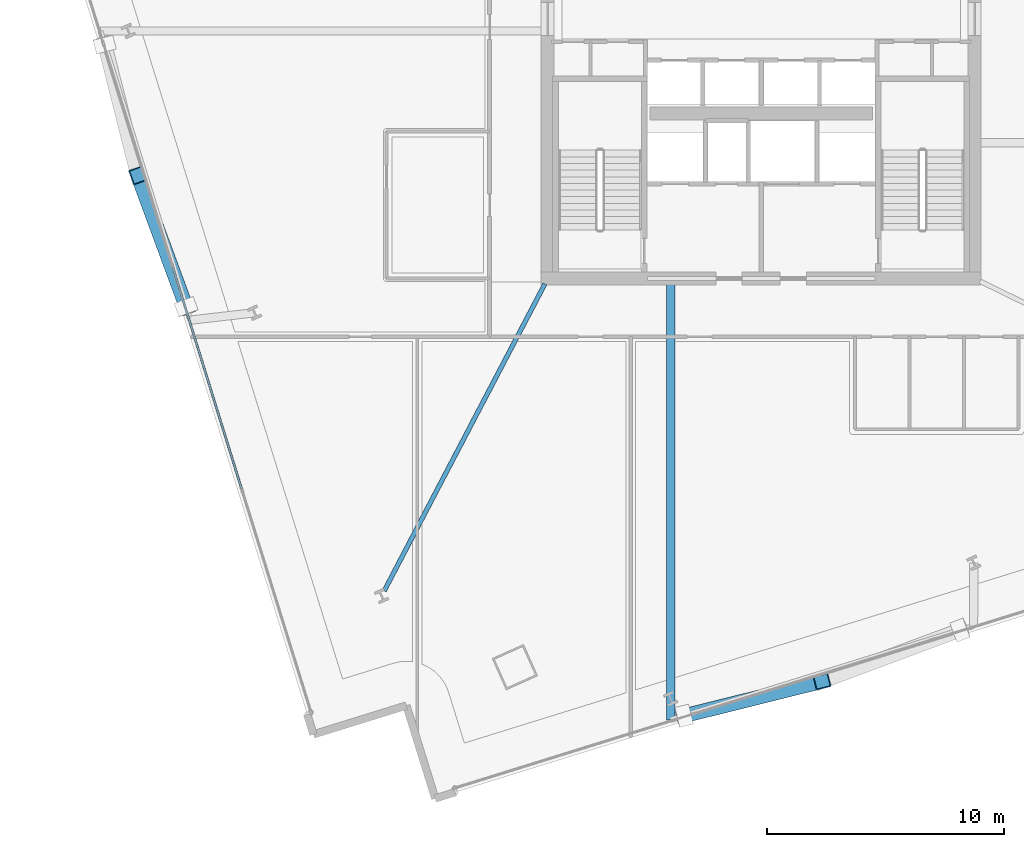
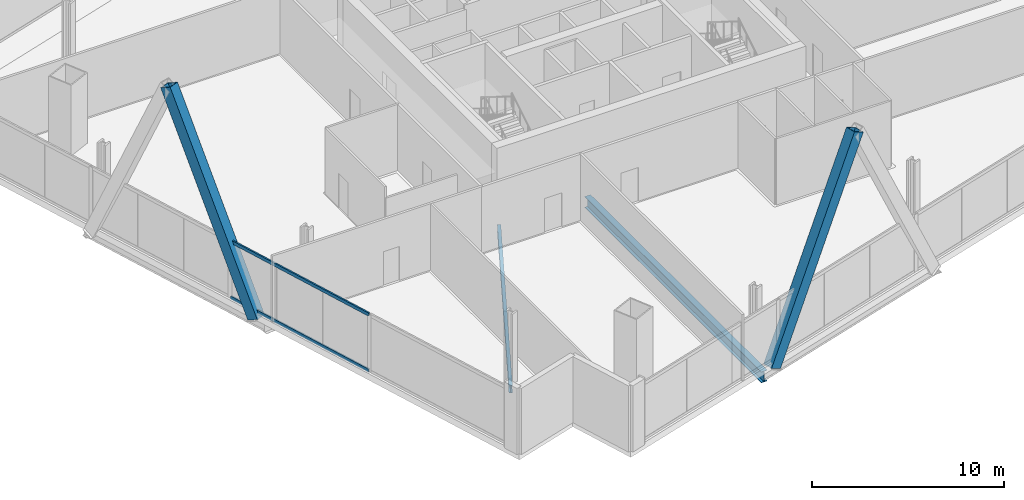
# One storey, part 3 of 26: 4 members, 2 beams, 1 element without a shape of its own.
"""IFC4 building model written with IfcOpenShell, lengths in metres."""

from ifc_helpers import new_model, si_unit, direction, frame, origin, origin_2d, place, context, subcontext, project, spatial, hollow_rectangle, i_section, extrude, material, material_profile, profile_set, type_object, element, aggregate, save


model = new_model("IFC4")

# Units and contexts
model_context = context("Model", 3, precision=1e-05, world=origin(), true_north=direction((0.0, 1.0)))
body_context = subcontext(model_context, "Body", "Model", "MODEL_VIEW")
ifc_project = project(units=[si_unit("LENGTHUNIT", "METRE"), si_unit("AREAUNIT", "SQUARE_METRE"), si_unit("VOLUMEUNIT", "CUBIC_METRE"), si_unit("PLANEANGLEUNIT", "RADIAN"), si_unit("MASSUNIT", "GRAM", prefix="KILO")], contexts=[model_context])

# Site, building, storey
site_placement = place(None, origin())
site = spatial("IfcSite", under=ifc_project, at=site_placement, CompositionType="ELEMENT")
building_placement = place(site_placement, origin())
building = spatial("IfcBuilding", under=site, at=building_placement, Name="Haldenkirk Collegiate Tower", CompositionType="ELEMENT")
storey_placement = place(building_placement, frame((0.0, 0.0, 85.949951171875)))
storey = spatial("IfcBuildingStorey", under=building, at=storey_placement, Name="L20", CompositionType="ELEMENT", Elevation=85.949951171875)

# Beams
ifc_material_1 = material(Name="Steel ASTM A992 Grade 50", Category="steel")
ifc_material_profile_1 = material_profile(ifc_material_1, i_section(OverallWidth=0.35498046875, OverallDepth=0.696044921875, WebThickness=0.015380859375, FlangeThickness=0.02490234375, at=origin_2d()), Name="W27X146")
ifc_profile_set_1 = profile_set([ifc_material_profile_1], Name="Steel ASTM A992 Grade 50")
beam_type_1 = type_object("IfcBeamType", Name="BM-GIRDER-W27X146", PredefinedType="BEAM", material=ifc_profile_set_1)
beam_1_placement = place(storey_placement, frame((32.181396484375, -0.609130859375, -0.758056640625), z_axis=(0.0, 1.0, 0.0), x_axis=(-1.0, 0.0, 0.0)))
element("IfcBeam", 1, at=beam_1_placement, inside=storey, type_object=beam_type_1, Name="L20 primary floor girder 05", PredefinedType="BEAM", context=body_context, shape_type="SweptSolid", body=[
    extrude(i_section(OverallWidth=0.35498046875, OverallDepth=0.696044921875, WebThickness=0.015380859375, FlangeThickness=0.02490234375, at=origin_2d()), origin(), (0.0, 0.0, 1.0), 18.354248046875),
])
ifc_material_profile_2 = material_profile(ifc_material_1, i_section(OverallWidth=0.19189453125, OverallDepth=0.462890625, WebThickness=0.010498046875, FlangeThickness=0.017578125, at=origin_2d()), Name="W18X60")
ifc_profile_set_2 = profile_set([ifc_material_profile_2], Name="Steel ASTM A992 Grade 50")
beam_type_2 = type_object("IfcBeamType", Name="BM-JOIST-W18X60", PredefinedType="JOIST", material=ifc_profile_set_2)
beam_2_placement = place(storey_placement, frame((20.10986328125, 4.838623046875, -0.641357421875), z_axis=(0.463790173169, 0.885945074636, 0.0), x_axis=(-0.885945074636, 0.463790173169, 0.0)))
element("IfcBeam", 2, at=beam_2_placement, inside=storey, type_object=beam_type_2, Name="L20 composite floor joist 16", PredefinedType="JOIST", context=body_context, shape_type="SweptSolid", body=[
    extrude(i_section(OverallWidth=0.19189453125, OverallDepth=0.462890625, WebThickness=0.010498046875, FlangeThickness=0.017578125, at=origin_2d()), origin(), (0.0, 0.0, 1.0), 14.600830078125),
])

# Curtain wall, members
ifc_material_2 = material(Name="Anodised architectural bronze aluminium", Category="aluminium")
curtain_wall_type = type_object("IfcCurtainWallType", Name="CW-SYS4-SKYGARDEN", PredefinedType="USERDEFINED", material=ifc_material_2)
curtain_wall_placement = place(storey_placement, origin())
curtain_wall = element("IfcCurtainWall", 3, at=curtain_wall_placement, inside=storey, type_object=curtain_wall_type, Name="L20 Sky-garden tall bronze curtain wall", ObjectType="UNITISED CURTAIN WALL", PredefinedType="USERDEFINED")
ifc_material_profile_3 = material_profile(ifc_material_2, hollow_rectangle(XDim=0.090087890625, YDim=0.2099609375, WallThickness=0.0048828125, at=origin_2d()), Name="CW-TRN-04")
ifc_profile_set_3 = profile_set([ifc_material_profile_3], Name="Anodised architectural bronze aluminium")
member_type_1 = type_object("IfcMemberType", Name="CW-TRN-04", PredefinedType="USERDEFINED", material=ifc_profile_set_3)
member_1_placement = place(storey_placement, frame((14.09423828125, 9.140625, 0.045166015625), z_axis=(-0.296543979427, 0.955019197852, 0.0), x_axis=(-0.955019197852, -0.296543979427, 0.0)))
member_1 = element("IfcMember", 4, at=member_1_placement, type_object=member_type_1, Name="CW-04 transom 2.1", ObjectType="TRANSOM", PredefinedType="USERDEFINED", context=body_context, shape_type="SweptSolid", body=[
    extrude(hollow_rectangle(XDim=0.090087890625, YDim=0.2099609375, WallThickness=0.0048828125, at=origin_2d()), origin(), (0.0, 0.0, 1.0), 9.760009765625),
])
member_2_placement = place(storey_placement, frame((14.09423828125, 9.140625, 3.60595703125), z_axis=(-0.296543979427, 0.955019197852, 0.0), x_axis=(-0.955019197852, -0.296543979427, 0.0)))
member_2 = element("IfcMember", 5, at=member_2_placement, type_object=member_type_1, Name="CW-04 transom 2.2", ObjectType="TRANSOM", PredefinedType="USERDEFINED", context=body_context, shape_type="SweptSolid", body=[
    extrude(hollow_rectangle(XDim=0.090087890625, YDim=0.2099609375, WallThickness=0.0048828125, at=origin_2d()), origin(), (0.0, 0.0, 1.0), 9.760009765625),
])
aggregate(curtain_wall, [member_1, member_2])

# Members
ifc_material_3 = material(Name="Steel ASTM A572 Grade 50", Category="steel")
ifc_material_profile_4 = material_profile(ifc_material_3, hollow_rectangle(XDim=0.60009765625, YDim=0.719970703125, WallThickness=0.044921875, at=origin_2d()), Name="BOX720X600X45")
ifc_profile_set_4 = profile_set([ifc_material_profile_4], Name="Steel ASTM A572 Grade 50")
member_type_2 = type_object("IfcMemberType", Name="MBR-MEGABRACE-BOX720X600X45", PredefinedType="BRACE", material=ifc_profile_set_4)
member_3_placement = place(storey_placement, frame((32.75439453125, -0.431396484375, -0.419921875), z_axis=(0.430203308673, 0.106999655156, 0.896368332218), x_axis=(-0.241365274114, 0.970434338043, 0.0)))
element("IfcMember", 6, at=member_3_placement, inside=storey, type_object=member_type_2, Name="Perimeter Mega Brace Z2 L20-L22 SL", PredefinedType="BRACE", context=body_context, shape_type="SweptSolid", body=[
    extrude(hollow_rectangle(XDim=0.60009765625, YDim=0.719970703125, WallThickness=0.044921875, at=origin_2d()), origin(), (0.0, 0.0, 1.0), 13.510009765625),
])
member_4_placement = place(storey_placement, frame((11.752197265625, 16.818115234375, -0.419921875), z_axis=(-0.151304083214, 0.410475323763, 0.899231384564), x_axis=(-0.938286503143, -0.345858985745, 0.0)))
element("IfcMember", 7, at=member_4_placement, inside=storey, type_object=member_type_2, Name="Perimeter Mega Brace Z2 L20-L22 WR", PredefinedType="BRACE", context=body_context, shape_type="SweptSolid", body=[
    extrude(hollow_rectangle(XDim=0.60009765625, YDim=0.719970703125, WallThickness=0.044921875, at=origin_2d()), origin(), (0.0, 0.0, 1.0), 13.466796875),
])

save(model, "model.ifc")
